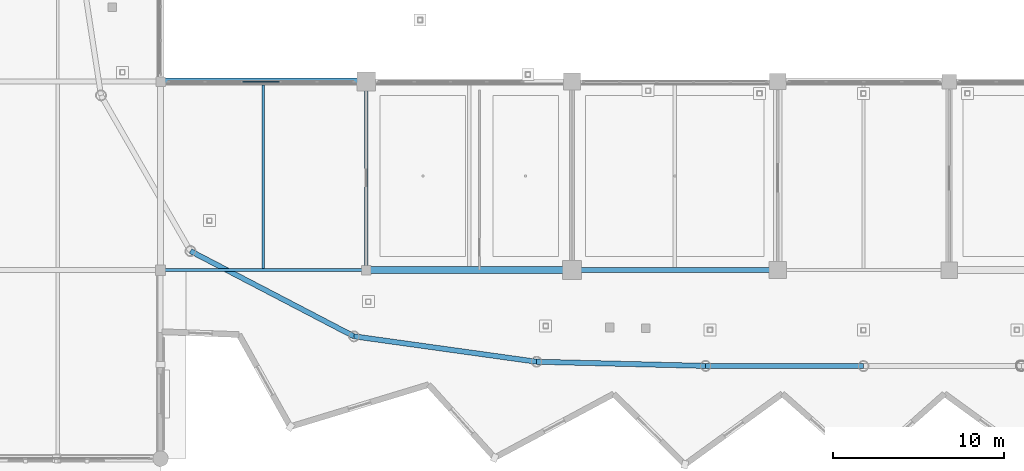
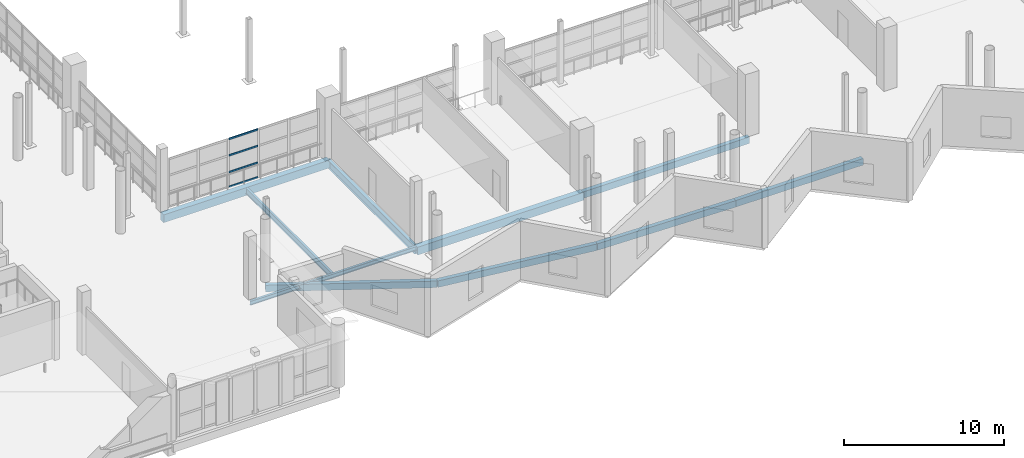
# One storey, part 32 of 143: 10 beams, 4 members, 1 element without a shape of its own.
"""IFC4 building model written with IfcOpenShell, lengths in metres."""

from ifc_helpers import new_model, si_unit, direction, frame, origin, origin_2d, place, context, subcontext, project, spatial, rectangle, hollow_rectangle, i_section, extrude, material, material_profile, profile_set, type_object, element, aggregate, save


model = new_model("IFC4")

# Units and contexts
model_context = context("Model", 3, precision=1e-05, world=origin(), true_north=direction((0.0, 1.0)))
body_context = subcontext(model_context, "Body", "Model", "MODEL_VIEW")
ifc_project = project(units=[si_unit("LENGTHUNIT", "METRE"), si_unit("AREAUNIT", "SQUARE_METRE"), si_unit("VOLUMEUNIT", "CUBIC_METRE"), si_unit("PLANEANGLEUNIT", "RADIAN"), si_unit("MASSUNIT", "GRAM", prefix="KILO")], contexts=[model_context])

# Site, building, storey
site_placement = place(None, origin())
site = spatial("IfcSite", under=ifc_project, at=site_placement, CompositionType="ELEMENT")
building_placement = place(site_placement, origin())
building = spatial("IfcBuilding", under=site, at=building_placement, Name="Luwafu Chhajja Arena", CompositionType="ELEMENT")
storey_placement = place(building_placement, frame((0.0, 0.0, 5.39990234375)))
storey = spatial("IfcBuildingStorey", under=building, at=storey_placement, Name="L01", CompositionType="ELEMENT", Elevation=5.39990234375)

# Curtain wall, members
ifc_material_1 = material(Name="Anodised bronze aluminium", Category="aluminium")
curtain_wall_type = type_object("IfcCurtainWallType", Name="Bowl Concourse Chord Curtain Wall", PredefinedType="USERDEFINED", material=ifc_material_1)
curtain_wall_placement = place(storey_placement, origin())
curtain_wall = element("IfcCurtainWall", 1, at=curtain_wall_placement, inside=storey, type_object=curtain_wall_type, Name="L01 Bowl Viewing Curtain Wall CWR-L01-01", ObjectType="CURTAIN WALL", PredefinedType="USERDEFINED")
ifc_material_profile_1 = material_profile(ifc_material_1, rectangle(XDim=0.06005859375, YDim=0.1298828125, at=origin_2d()), Name="CWT 60x130")
ifc_profile_set_1 = profile_set([ifc_material_profile_1], Name="Anodised bronze aluminium")
member_type = type_object("IfcMemberType", Name="Bronze Curtain Wall Transom 60x130", PredefinedType="USERDEFINED", material=ifc_profile_set_1)
member_1_placement = place(storey_placement, frame((62.802978515625, 22.0, 0.030029296875), z_axis=(1.0, 0.0, 0.0), x_axis=(0.0, 1.0, 0.0)))
member_1 = element("IfcMember", 2, at=member_1_placement, type_object=member_type, Name="CW-01 transom 3.1", ObjectType="TRANSOM", PredefinedType="USERDEFINED", context=body_context, shape_type="SweptSolid", body=[
    extrude(rectangle(XDim=0.06005859375, YDim=0.1298828125, at=origin_2d()), origin(), (0.0, 0.0, 1.0), 2.119140625),
])
member_2_placement = place(storey_placement, frame((62.802978515625, 22.0, 1.150146484375), z_axis=(1.0, 0.0, 0.0), x_axis=(0.0, 1.0, 0.0)))
member_2 = element("IfcMember", 3, at=member_2_placement, type_object=member_type, Name="CW-01 transom 3.2", ObjectType="TRANSOM", PredefinedType="USERDEFINED", context=body_context, shape_type="SweptSolid", body=[
    extrude(rectangle(XDim=0.06005859375, YDim=0.1298828125, at=origin_2d()), origin(), (0.0, 0.0, 1.0), 2.119140625),
])
member_3_placement = place(storey_placement, frame((62.802978515625, 22.0, 2.428466796875), z_axis=(1.0, 0.0, 0.0), x_axis=(0.0, 1.0, 0.0)))
member_3 = element("IfcMember", 4, at=member_3_placement, type_object=member_type, Name="CW-01 transom 3.3", ObjectType="TRANSOM", PredefinedType="USERDEFINED", context=body_context, shape_type="SweptSolid", body=[
    extrude(rectangle(XDim=0.06005859375, YDim=0.1298828125, at=origin_2d()), origin(), (0.0, 0.0, 1.0), 2.119140625),
])
member_4_placement = place(storey_placement, frame((62.802978515625, 22.0, 3.676513671875), z_axis=(1.0, 0.0, 0.0), x_axis=(0.0, 1.0, 0.0)))
member_4 = element("IfcMember", 5, at=member_4_placement, type_object=member_type, Name="CW-01 transom 3.4", ObjectType="TRANSOM", PredefinedType="USERDEFINED", context=body_context, shape_type="SweptSolid", body=[
    extrude(rectangle(XDim=0.06005859375, YDim=0.1298828125, at=origin_2d()), origin(), (0.0, 0.0, 1.0), 2.119140625),
])
aggregate(curtain_wall, [member_1, member_2, member_3, member_4])

# Beams
ifc_material_2 = material(Name="Steel S355", Category="steel")
ifc_material_profile_2 = material_profile(ifc_material_2, i_section(OverallWidth=0.165771484375, OverallDepth=0.306640625, WebThickness=0.006591796875, FlangeThickness=0.01171875, at=origin_2d()), Name="UB 305x165x46")
ifc_profile_set_2 = profile_set([ifc_material_profile_2], Name="Steel S355")
beam_type_1 = type_object("IfcBeamType", Name="Concourse Edge Spandrel Beam UB 305x165x46", PredefinedType="SPANDREL", material=ifc_profile_set_2)
beam_1_placement = place(storey_placement, frame((58.0, 11.0, -0.483154296875), z_axis=(1.0, 0.0, 0.0), x_axis=(0.0, 1.0, 0.0)))
element("IfcBeam", 6, at=beam_1_placement, inside=storey, type_object=beam_type_1, Name="L01 Grid Beam 6-7/B", PredefinedType="SPANDREL", context=body_context, shape_type="SweptSolid", body=[
    extrude(i_section(OverallWidth=0.165771484375, OverallDepth=0.306640625, WebThickness=0.006591796875, FlangeThickness=0.01171875, at=origin_2d()), origin(), (0.0, 0.0, 1.0), 12.0),
])
ifc_material_profile_3 = material_profile(ifc_material_2, i_section(OverallWidth=0.15283203125, OverallDepth=0.45458984375, WebThickness=0.008056640625, FlangeThickness=0.01318359375, at=origin_2d()), Name="UB 457x152x60")
ifc_profile_set_3 = profile_set([ifc_material_profile_3], Name="Steel S355")
beam_type_2 = type_object("IfcBeamType", Name="Floor Joist UB 457x152x60", PredefinedType="JOIST", material=ifc_profile_set_3)
beam_2_placement = place(storey_placement, frame((64.0, 11.0830078125, -0.55712890625), z_axis=(0.0, 1.0, 0.0), x_axis=(-1.0, 0.0, 0.0)))
element("IfcBeam", 7, at=beam_2_placement, inside=storey, type_object=beam_type_2, Name="L01 Secondary Joist 6-7/B", PredefinedType="JOIST", context=body_context, shape_type="SweptSolid", body=[
    extrude(i_section(OverallWidth=0.15283203125, OverallDepth=0.45458984375, WebThickness=0.008056640625, FlangeThickness=0.01318359375, at=origin_2d()), origin(), (0.0, 0.0, 1.0), 10.717041015625),
])
ifc_material_profile_4 = material_profile(ifc_material_2, hollow_rectangle(XDim=0.300048828125, YDim=0.5, WallThickness=0.02001953125, at=origin_2d()), Name="RHS 500x300x20")
ifc_profile_set_4 = profile_set([ifc_material_profile_4], Name="Steel S355")
beam_type_3 = type_object("IfcBeamType", Name="Pleated Drum Spandrel Beam RHS 500x300", PredefinedType="SPANDREL", material=ifc_profile_set_4)
beam_3_placement = place(storey_placement, frame((82.0, 11.0, -0.579833984375), z_axis=(1.0, 0.0, 0.0), x_axis=(0.0, 1.0, 0.0)))
element("IfcBeam", 8, at=beam_3_placement, inside=storey, type_object=beam_type_3, Name="L01 Grid Beam 8-9/B", PredefinedType="SPANDREL", context=body_context, shape_type="SweptSolid", body=[
    extrude(hollow_rectangle(XDim=0.300048828125, YDim=0.5, WallThickness=0.02001953125, at=origin_2d()), origin(), (0.0, 0.0, 1.0), 12.0),
])
beam_4_placement = place(storey_placement, frame((59.743896484375, 12.109130859375, -0.579833984375), z_axis=(0.886755170812, -0.462239404463, 0.0), x_axis=(0.462239404463, 0.886755170812, 0.0)))
element("IfcBeam", 9, at=beam_4_placement, inside=storey, type_object=beam_type_3, Name="L01 Drum Ring Spandrel D21-D22", PredefinedType="SPANDREL", context=body_context, shape_type="SweptSolid", body=[
    extrude(hollow_rectangle(XDim=0.300048828125, YDim=0.5, WallThickness=0.02001953125, at=origin_2d()), origin(), (0.0, 0.0, 1.0), 10.756103515625),
])
beam_5_placement = place(storey_placement, frame((69.281982421875, 7.13720703125, -0.579833984375), z_axis=(0.990458730054, -0.137809666058, 0.0), x_axis=(0.137809666058, 0.990458730054, 0.0)))
element("IfcBeam", 10, at=beam_5_placement, inside=storey, type_object=beam_type_3, Name="L01 Drum Ring Spandrel D22-D23", PredefinedType="SPANDREL", context=body_context, shape_type="SweptSolid", body=[
    extrude(hollow_rectangle(XDim=0.300048828125, YDim=0.5, WallThickness=0.02001953125, at=origin_2d()), origin(), (0.0, 0.0, 1.0), 10.75341796875),
])
beam_6_placement = place(storey_placement, frame((79.932861328125, 5.6552734375, -0.579833984375), z_axis=(0.999695420837, -0.024679253567, 0.0), x_axis=(0.024679253567, 0.999695420837, 0.0)))
element("IfcBeam", 11, at=beam_6_placement, inside=storey, type_object=beam_type_3, Name="L01 Drum Ring Spandrel D23-D24", PredefinedType="SPANDREL", context=body_context, shape_type="SweptSolid", body=[
    extrude(hollow_rectangle(XDim=0.300048828125, YDim=0.5, WallThickness=0.02001953125, at=origin_2d()), origin(), (0.0, 0.0, 1.0), 9.86279296875),
])
beam_7_placement = place(storey_placement, frame((89.792724609375, 5.411865234375, -0.579833984375), z_axis=(0.999999155928, -0.001299285621, 0.0), x_axis=(0.001299285621, 0.999999155928, 0.0)))
element("IfcBeam", 12, at=beam_7_placement, inside=storey, type_object=beam_type_3, Name="L01 Drum Ring Spandrel D24-D25", PredefinedType="SPANDREL", context=body_context, shape_type="SweptSolid", body=[
    extrude(hollow_rectangle(XDim=0.300048828125, YDim=0.5, WallThickness=0.02001953125, at=origin_2d()), origin(), (0.0, 0.0, 1.0), 9.207275390625),
])
ifc_material_3 = material(Name="Concrete C35/45", Category="concrete")
ifc_material_profile_5 = material_profile(ifc_material_3, rectangle(XDim=0.39990234375, YDim=0.60009765625, at=origin_2d()), Name="RC 400x600")
ifc_profile_set_5 = profile_set([ifc_material_profile_5], Name="Concrete C35/45")
beam_type_4 = type_object("IfcBeamType", Name="Podium Perimeter Spandrel RC 400x600", PredefinedType="SPANDREL", material=ifc_profile_set_5)
for number, where, z_axis, x_axis, name in (
    (13, (58.0, 22.0, -0.6298828125), (1.0, 0.0, 0.0), (0.0, 1.0, 0.0), "L01 Grid Beam 6-7/C"),
    (14, (70.0, 11.0, -0.6298828125), (1.0, 0.0, 0.0), (0.0, 1.0, 0.0), "L01 Grid Beam 7-8/B"),
):
    element("IfcBeam", number, at=place(storey_placement, frame(where, z_axis=z_axis, x_axis=x_axis)), inside=storey, type_object=beam_type_4, Name=name, PredefinedType="SPANDREL", context=body_context, shape_type="SweptSolid", body=[
        extrude(rectangle(XDim=0.39990234375, YDim=0.60009765625, at=origin_2d()), origin(), (0.0, 0.0, 1.0), 12.0),
    ])
ifc_material_profile_6 = material_profile(ifc_material_2, i_section(OverallWidth=0.22900390625, OverallDepth=0.6123046875, WebThickness=0.011962890625, FlangeThickness=0.01953125, at=origin_2d()), Name="UB 610x229x125")
ifc_profile_set_6 = profile_set([ifc_material_profile_6], Name="Steel S355")
beam_type_5 = type_object("IfcBeamType", Name="Steel Mezzanine Girder UB 610x229x125", PredefinedType="BEAM", material=ifc_profile_set_6)
beam_8_placement = place(storey_placement, frame((70.0, 11.0, -0.635986328125), z_axis=(0.0, 1.0, 0.0), x_axis=(-1.0, 0.0, 0.0)))
element("IfcBeam", 15, at=beam_8_placement, inside=storey, type_object=beam_type_5, Name="L01 Grid Beam 7/B-C", PredefinedType="BEAM", context=body_context, shape_type="SweptSolid", body=[
    extrude(i_section(OverallWidth=0.22900390625, OverallDepth=0.6123046875, WebThickness=0.011962890625, FlangeThickness=0.01953125, at=origin_2d()), origin(), (0.0, 0.0, 1.0), 11.0),
])

save(model, "model.ifc")
